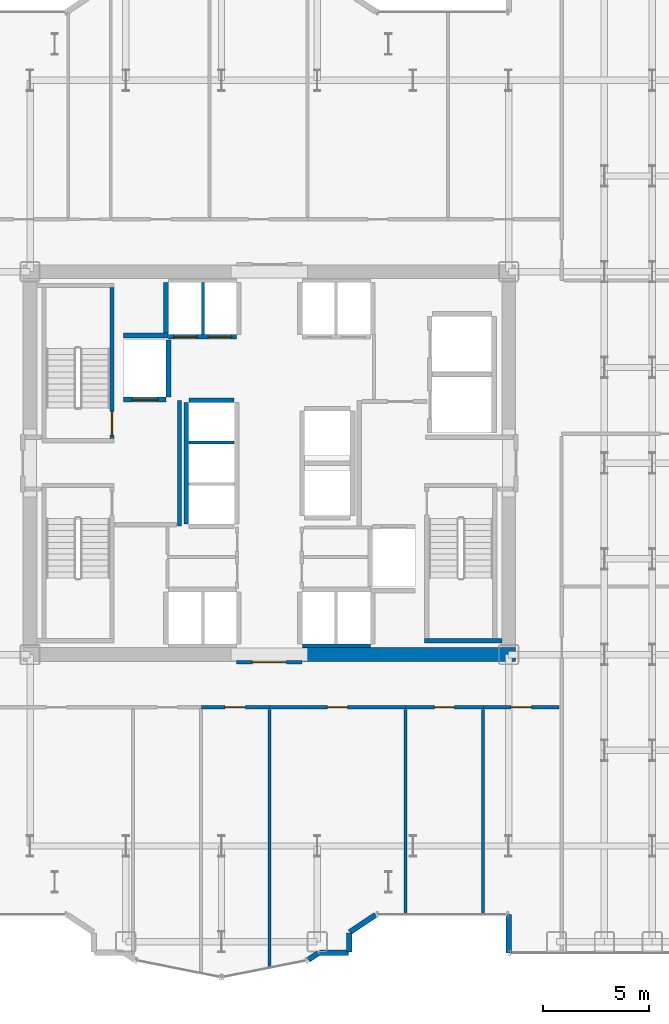
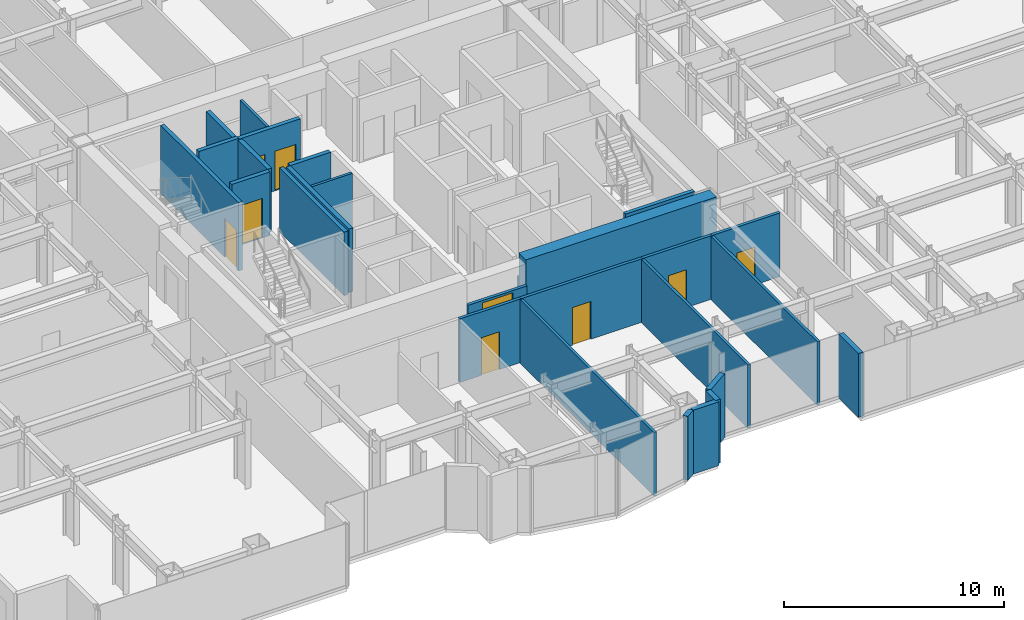
# One storey, part 21 of 25: 27 walls, 9 doors, 9 openings.
"""IFC4 building model written with IfcOpenShell, lengths in metres."""

from ifc_helpers import new_model, si_unit, direction, frame, frame_2d, origin, place, context, subcontext, project, spatial, rectangle, extrude, source, transform, mapped, material, layer, layer_set, type_object, element, fill, save


model = new_model("IFC4")

# Units and contexts
model_context = context("Model", 3, precision=1e-05, world=origin(), true_north=direction((0.0, 1.0)))
body_context = subcontext(model_context, "Body", "Model", "MODEL_VIEW")
ifc_project = project(units=[si_unit("LENGTHUNIT", "METRE"), si_unit("AREAUNIT", "SQUARE_METRE"), si_unit("VOLUMEUNIT", "CUBIC_METRE"), si_unit("PLANEANGLEUNIT", "RADIAN"), si_unit("MASSUNIT", "GRAM", prefix="KILO")], contexts=[model_context])

# Site, building, storey
site_placement = place(None, origin())
site = spatial("IfcSite", under=ifc_project, at=site_placement, CompositionType="ELEMENT")
building_placement = place(site_placement, origin())
building = spatial("IfcBuilding", under=site, at=building_placement, Name="Nefas-Gora Pilgrimage Tower", CompositionType="ELEMENT")
storey_placement = place(building_placement, frame((0.0, 0.0, 71.0)))
storey = spatial("IfcBuildingStorey", under=building, at=storey_placement, Name="L16", CompositionType="ELEMENT", Elevation=71.0)

# Walls
ifc_material_1 = material(Name="Concrete C60/75", Category="concrete")
ifc_layer_1 = layer(ifc_material_1, 0.64990234375)
ifc_layer_set_1 = layer_set([ifc_layer_1], Name="Concrete C60/75")
wall_type_1 = type_object("IfcWallType", Name="SW-CORE-650", PredefinedType="SHEAR", material=ifc_layer_set_1)
shared_shape_1 = source(origin(), body_context, "Body", "SweptSolid", [
    extrude(rectangle(XDim=10.02490234375, YDim=0.64990234375, at=frame_2d((5.012451171875, 0.0))), origin(), (0.0, 0.0, 1.0), 3.800048828125),
])
wall_1_placement = place(storey_placement, frame((1.550048828125, -9.0, 0.0), z_axis=(0.0, 0.0, 1.0), x_axis=(1.0, 0.0, 0.0)))
element("IfcWall", 1, at=wall_1_placement, inside=storey, type_object=wall_type_1, Name="L16 Core Shear Wall S-East", PredefinedType="SHEAR", context=body_context, shape_type="MappedRepresentation", body=[
    mapped(shared_shape_1, transform((0.0, 0.0, 0.0), x_axis=(1.0, 0.0, 0.0), y_axis=(0.0, 1.0, 0.0), z_axis=(0.0, 0.0, 1.0), scale=1.0)),
])
ifc_material_2 = material(Name="Precast concrete C40/50", Category="concrete")
ifc_layer_2 = layer(ifc_material_2, 0.260009765625)
ifc_layer_set_2 = layer_set([ifc_layer_2], Name="Precast concrete C40/50")
wall_type_2 = type_object("IfcWallType", Name="EW-PORTAL-260", PredefinedType="SOLIDWALL", material=ifc_layer_set_2)
shared_shape_2 = source(origin(), body_context, "Body", "SweptSolid", [
    extrude(rectangle(XDim=1.800048828125, YDim=0.260009765625, at=frame_2d((0.89990234375, 0.0))), origin(), (0.0, 0.0, 1.0), 3.550048828125),
])
wall_2_placement = place(storey_placement, frame((11.25, -21.219970703125, 0.0), z_axis=(0.0, 0.0, 1.0), x_axis=(0.0, -1.0, 0.0)))
element("IfcWall", 2, at=wall_2_placement, inside=storey, type_object=wall_type_2, Name="L16 Lobe Shoulder Precast Spandrel Pier 1", PredefinedType="SOLIDWALL", context=body_context, shape_type="MappedRepresentation", body=[
    mapped(shared_shape_2, transform((0.0, 0.0, 0.0), x_axis=(1.0, 0.0, 0.0), y_axis=(0.0, 1.0, 0.0), z_axis=(0.0, 0.0, 1.0), scale=1.0)),
])
shared_shape_3 = source(origin(), body_context, "Body", "SweptSolid", [
    extrude(rectangle(XDim=1.468994140625, YDim=0.260009765625, at=frame_2d((0.734375, 0.0))), origin(), (0.0, 0.0, 1.0), 3.550048828125),
])
wall_3_placement = place(storey_placement, frame((3.773193359375, -22.0517578125, 0.0), z_axis=(0.0, 0.0, 1.0), x_axis=(0.831461760506, 0.555581983884, 0.0)))
element("IfcWall", 3, at=wall_3_placement, inside=storey, type_object=wall_type_2, Name="L16 Lobe Shoulder Precast Spandrel Pier 36", PredefinedType="SOLIDWALL", context=body_context, shape_type="MappedRepresentation", body=[
    mapped(shared_shape_3, transform((0.0, 0.0, 0.0), x_axis=(1.0, 0.0, 0.0), y_axis=(0.0, 1.0, 0.0), z_axis=(0.0, 0.0, 1.0), scale=1.0)),
])
shared_shape_4 = source(origin(), body_context, "Body", "SweptSolid", [
    extrude(rectangle(XDim=0.896728515625, YDim=0.260009765625, at=frame_2d((0.4482421875, 0.0))), origin(), (0.0, 0.0, 1.0), 3.550048828125),
])
wall_4_placement = place(storey_placement, frame((3.75, -22.991943359375, 0.0), z_axis=(0.0, 0.0, 1.0), x_axis=(0.0, 1.0, 0.0)))
element("IfcWall", 4, at=wall_4_placement, inside=storey, type_object=wall_type_2, Name="L16 Lobe Shoulder Precast Spandrel Pier 35", PredefinedType="SOLIDWALL", context=body_context, shape_type="MappedRepresentation", body=[
    mapped(shared_shape_4, transform((0.0, 0.0, 0.0), x_axis=(1.0, 0.0, 0.0), y_axis=(0.0, 1.0, 0.0), z_axis=(0.0, 0.0, 1.0), scale=1.0)),
])
shared_shape_5 = source(origin(), body_context, "Body", "SweptSolid", [
    extrude(rectangle(XDim=1.369873046875, YDim=0.260009765625, at=frame_2d((0.68505859375, 0.0))), origin(), (0.0, 0.0, 1.0), 3.550048828125),
])
wall_5_placement = place(storey_placement, frame((2.35205078125, -23.02001953125, 0.0), z_axis=(0.0, 0.0, 1.0), x_axis=(1.0, 0.0, 0.0)))
element("IfcWall", 5, at=wall_5_placement, inside=storey, type_object=wall_type_2, Name="L16 Lobe Shoulder Precast Spandrel Pier 34", PredefinedType="SOLIDWALL", context=body_context, shape_type="MappedRepresentation", body=[
    mapped(shared_shape_5, transform((0.0, 0.0, 0.0), x_axis=(1.0, 0.0, 0.0), y_axis=(0.0, 1.0, 0.0), z_axis=(0.0, 0.0, 1.0), scale=1.0)),
])
shared_shape_6 = source(origin(), body_context, "Body", "SweptSolid", [
    extrude(rectangle(XDim=0.5654296875, YDim=0.260009765625, at=frame_2d((0.28271484375, 0.0))), origin(), (0.0, 0.0, 1.0), 3.550048828125),
])
wall_6_placement = place(storey_placement, frame((1.83056640625, -23.349609375, 0.0), z_axis=(0.0, 0.0, 1.0), x_axis=(0.831651492666, 0.555297933317, 0.0)))
element("IfcWall", 6, at=wall_6_placement, inside=storey, type_object=wall_type_2, Name="L16 Lobe Shoulder Precast Spandrel Pier 33", PredefinedType="SOLIDWALL", context=body_context, shape_type="MappedRepresentation", body=[
    mapped(shared_shape_6, transform((0.0, 0.0, 0.0), x_axis=(1.0, 0.0, 0.0), y_axis=(0.0, 1.0, 0.0), z_axis=(0.0, 0.0, 1.0), scale=1.0)),
])
ifc_material_3 = material(Name="Concrete C45/55", Category="concrete")
ifc_layer_3 = layer(ifc_material_3, 0.199951171875)
ifc_layer_set_3 = layer_set([ifc_layer_3], Name="Concrete C45/55")
wall_type_3 = type_object("IfcWallType", Name="IW-STAIR-200", PredefinedType="SOLIDWALL", material=ifc_layer_set_3)
shared_shape_7 = source(origin(), body_context, "Body", "SweptSolid", [
    extrude(rectangle(XDim=3.6298828125, YDim=0.199951171875, at=frame_2d((1.81494140625, 0.0))), origin(), (0.0, 0.0, 1.0), 3.800048828125),
])
wall_7_placement = place(storey_placement, frame((7.300048828125, -8.35009765625, 0.0), z_axis=(0.0, 0.0, 1.0), x_axis=(1.0, 0.0, 0.0)))
element("IfcWall", 7, at=wall_7_placement, inside=storey, type_object=wall_type_3, Name="L16 Stairwell Shear Wall ST-02-far", PredefinedType="SOLIDWALL", context=body_context, shape_type="MappedRepresentation", body=[
    mapped(shared_shape_7, transform((0.0, 0.0, 0.0), x_axis=(1.0, 0.0, 0.0), y_axis=(0.0, 1.0, 0.0), z_axis=(0.0, 0.0, 1.0), scale=1.0)),
])

# Wall, opening, door
shared_shape_8 = source(origin(), body_context, "Body", "SweptSolid", [
    extrude(rectangle(XDim=7.10009765625, YDim=0.199951171875, at=frame_2d((3.550048828125, 0.0))), origin(), (0.0, 0.0, 1.0), 3.800048828125),
])
wall_8_placement = place(storey_placement, frame((-7.39990234375, 1.14990234375, 0.0), z_axis=(0.0, 0.0, 1.0), x_axis=(0.0, 1.0, 0.0)))
wall_8 = element("IfcWall", 8, at=wall_8_placement, inside=storey, type_object=wall_type_3, Name="L16 Stairwell Shear Wall ST-01-left", PredefinedType="SOLIDWALL", context=body_context, shape_type="MappedRepresentation", body=[
    mapped(shared_shape_8, transform((0.0, 0.0, 0.0), x_axis=(1.0, 0.0, 0.0), y_axis=(0.0, 1.0, 0.0), z_axis=(0.0, 0.0, 1.0), scale=1.0)),
])
opening_1_placement = place(wall_8_placement, frame((0.179931640625, 0.0, 0.0)))
opening_1 = element("IfcOpeningElement", 9, at=opening_1_placement, cuts=wall_8, Name="Opening ID-ST1", PredefinedType="OPENING", context=body_context, shape_type="SweptSolid", body=[
    extrude(rectangle(XDim=1.10009765625, YDim=2.14990234375, at=frame_2d((0.550048828125, 1.074951171875))), frame((0.0, 0.10986328125, 0.0), z_axis=(0.0, -1.0, 0.0), x_axis=(1.0, 0.0, 0.0)), (0.0, 0.0, 1.0), 0.219970703125),
])
ifc_material_4 = material(Name="Painted galvanised steel fire stair door", Category="steel")
door_type_1 = type_object("IfcDoorType", Name="DR-INT-STAIR-1100", OperationType="NOTDEFINED", PredefinedType="DOOR", material=ifc_material_4)
shared_shape_9 = source(origin(), body_context, "Body", "SweptSolid", [
    extrude(rectangle(XDim=1.10009765625, YDim=2.14990234375, at=frame_2d((0.550048828125, 1.074951171875))), frame((0.0, 0.02490234375, 0.0), z_axis=(0.0, -1.0, 0.0), x_axis=(1.0, 0.0, 0.0)), (0.0, 0.0, 1.0), 0.050048828125),
])
door_1_placement = place(opening_1_placement, origin())
door_1 = element("IfcDoor", 10, at=door_1_placement, inside=storey, type_object=door_type_1, Name="L16 Protected Exit Stair Door ST-01", OperationType="SINGLE_SWING_RIGHT", OverallHeight=2.14990234375, OverallWidth=1.10009765625, PredefinedType="DOOR", context=body_context, shape_type="MappedRepresentation", body=[
    mapped(shared_shape_9, transform((0.0, 0.0, 0.0), x_axis=(1.0, 0.0, 0.0), y_axis=(0.0, 1.0, 0.0), z_axis=(0.0, 0.0, 1.0), scale=1.0)),
])
fill(opening_1, door_1)

ifc_material_5 = material(Name="Concrete C40/50", Category="concrete")
ifc_layer_4 = layer(ifc_material_5, 0.219970703125)
ifc_layer_set_4 = layer_set([ifc_layer_4], Name="Concrete C40/50")
wall_type_4 = type_object("IfcWallType", Name="IW-SHAFT-220", PredefinedType="SOLIDWALL", material=ifc_layer_set_4)
shared_shape_10 = source(origin(), body_context, "Body", "SweptSolid", [
    extrude(rectangle(XDim=2.0, YDim=0.219970703125, at=frame_2d((1.0, 0.0))), origin(), (0.0, 0.0, 1.0), 3.534912109375),
])
wall_9_placement = place(storey_placement, frame((-6.85009765625, 2.989990234375, 0.0), z_axis=(0.0, 0.0, 1.0), x_axis=(1.0, 0.0, 0.0)))
wall_9 = element("IfcWall", 11, at=wall_9_placement, inside=storey, type_object=wall_type_4, Name="L16 Hoistway Wall FFL-01-S", PredefinedType="SOLIDWALL", context=body_context, shape_type="MappedRepresentation", body=[
    mapped(shared_shape_10, transform((0.0, 0.0, 0.0), x_axis=(1.0, 0.0, 0.0), y_axis=(0.0, 1.0, 0.0), z_axis=(0.0, 0.0, 1.0), scale=1.0)),
])
opening_2_placement = place(wall_9_placement, frame((0.39990234375, 0.0, 0.0)))
opening_2 = element("IfcOpeningElement", 12, at=opening_2_placement, cuts=wall_9, Name="Opening LD-FF", PredefinedType="OPENING", context=body_context, shape_type="SweptSolid", body=[
    extrude(rectangle(XDim=1.199951171875, YDim=2.199951171875, at=frame_2d((0.60009765625, 1.10009765625))), frame((0.0, 0.119873046875, 0.0), z_axis=(0.0, -1.0, 0.0), x_axis=(1.0, 0.0, 0.0)), (0.0, 0.0, 1.0), 0.239990234375),
])
ifc_material_6 = material(Name="Fire-service sliding lift landing door")
door_type_2 = type_object("IfcDoorType", Name="DR-LIFT-FSAE-1200", OperationType="SLIDING_TO_LEFT", PredefinedType="DOOR", material=ifc_material_6)
shared_shape_11 = source(origin(), body_context, "Body", "SweptSolid", [
    extrude(rectangle(XDim=1.199951171875, YDim=2.199951171875, at=frame_2d((0.60009765625, 1.10009765625))), frame((0.0, 0.02490234375, 0.0), z_axis=(0.0, -1.0, 0.0), x_axis=(1.0, 0.0, 0.0)), (0.0, 0.0, 1.0), 0.050048828125),
])
door_2_placement = place(opening_2_placement, origin())
door_2 = element("IfcDoor", 13, at=door_2_placement, inside=storey, type_object=door_type_2, Name="L16 Sliding Lift Landing Door FFL-01", OperationType="SLIDING_TO_LEFT", OverallHeight=2.199951171875, OverallWidth=1.199951171875, PredefinedType="DOOR", context=body_context, shape_type="MappedRepresentation", body=[
    mapped(shared_shape_11, transform((0.0, 0.0, 0.0), x_axis=(1.0, 0.0, 0.0), y_axis=(0.0, 1.0, 0.0), z_axis=(0.0, 0.0, 1.0), scale=1.0)),
])
fill(opening_2, door_2)

# Wall
shared_shape_12 = source(origin(), body_context, "Body", "SweptSolid", [
    extrude(rectangle(XDim=2.679931640625, YDim=0.219970703125, at=frame_2d((1.33984375, 0.0))), origin(), (0.0, 0.0, 1.0), 3.534912109375),
])
wall_10_placement = place(storey_placement, frame((-4.739990234375, 3.110107421875, 0.0), z_axis=(0.0, 0.0, 1.0), x_axis=(0.0, 1.0, 0.0)))
element("IfcWall", 14, at=wall_10_placement, inside=storey, type_object=wall_type_4, Name="L16 Hoistway Wall FFL-01-E", PredefinedType="SOLIDWALL", context=body_context, shape_type="MappedRepresentation", body=[
    mapped(shared_shape_12, transform((0.0, 0.0, 0.0), x_axis=(1.0, 0.0, 0.0), y_axis=(0.0, 1.0, 0.0), z_axis=(0.0, 0.0, 1.0), scale=1.0)),
])

# Wall, openings, doors
shared_shape_13 = source(origin(), body_context, "Body", "SweptSolid", [
    extrude(rectangle(XDim=3.199951171875, YDim=0.219970703125, at=frame_2d((1.60009765625, 0.0))), origin(), (0.0, 0.0, 1.0), 3.534912109375),
])
wall_11_placement = place(storey_placement, frame((-4.75, 5.93994140625, 0.0), z_axis=(0.0, 0.0, 1.0), x_axis=(1.0, 0.0, 0.0)))
wall_11 = element("IfcWall", 15, at=wall_11_placement, inside=storey, type_object=wall_type_4, Name="L16 Hoistway Wall PL1-W-S", PredefinedType="SOLIDWALL", context=body_context, shape_type="MappedRepresentation", body=[
    mapped(shared_shape_13, transform((0.0, 0.0, 0.0), x_axis=(1.0, 0.0, 0.0), y_axis=(0.0, 1.0, 0.0), z_axis=(0.0, 0.0, 1.0), scale=1.0)),
])
opening_3_placement = place(wall_11_placement, frame((0.25, 0.0, 0.0)))
opening_3 = element("IfcOpeningElement", 16, at=opening_3_placement, cuts=wall_11, Name="Opening LD-01", PredefinedType="OPENING", context=body_context, shape_type="SweptSolid", body=[
    extrude(rectangle(XDim=1.10009765625, YDim=2.199951171875, at=frame_2d((0.550048828125, 1.10009765625))), frame((0.0, 0.119873046875, 0.0), z_axis=(0.0, -1.0, 0.0), x_axis=(1.0, 0.0, 0.0)), (0.0, 0.0, 1.0), 0.239990234375),
])
opening_4_placement = place(wall_11_placement, frame((1.875, 0.0, 0.0)))
opening_4 = element("IfcOpeningElement", 17, at=opening_4_placement, cuts=wall_11, Name="Opening LD-01", PredefinedType="OPENING", context=body_context, shape_type="SweptSolid", body=[
    extrude(rectangle(XDim=1.10009765625, YDim=2.199951171875, at=frame_2d((0.550048828125, 1.10009765625))), frame((0.0, 0.119873046875, 0.0), z_axis=(0.0, -1.0, 0.0), x_axis=(1.0, 0.0, 0.0)), (0.0, 0.0, 1.0), 0.239990234375),
])
ifc_material_7 = material(Name="Brushed stainless sliding lift landing door")
door_type_3 = type_object("IfcDoorType", Name="DR-LIFT-PASS-1100", OperationType="DOUBLE_DOOR_SLIDING", PredefinedType="DOOR", material=ifc_material_7)
shared_shape_14 = source(origin(), body_context, "Body", "SweptSolid", [
    extrude(rectangle(XDim=1.10009765625, YDim=2.199951171875, at=frame_2d((0.550048828125, 1.10009765625))), frame((0.0, 0.02490234375, 0.0), z_axis=(0.0, -1.0, 0.0), x_axis=(1.0, 0.0, 0.0)), (0.0, 0.0, 1.0), 0.050048828125),
])
door_3_placement = place(opening_3_placement, origin())
door_3 = element("IfcDoor", 18, at=door_3_placement, inside=storey, type_object=door_type_3, Name="L16 Sliding Lift Landing Door PL1-01", OperationType="DOUBLE_DOOR_SLIDING", OverallHeight=2.199951171875, OverallWidth=1.10009765625, PredefinedType="DOOR", context=body_context, shape_type="MappedRepresentation", body=[
    mapped(shared_shape_14, transform((0.0, 0.0, 0.0), x_axis=(1.0, 0.0, 0.0), y_axis=(0.0, 1.0, 0.0), z_axis=(0.0, 0.0, 1.0), scale=1.0)),
])
fill(opening_3, door_3)
door_4_placement = place(opening_4_placement, origin())
door_4 = element("IfcDoor", 19, at=door_4_placement, inside=storey, type_object=door_type_3, Name="L16 Sliding Lift Landing Door PL1-02", OperationType="DOUBLE_DOOR_SLIDING", OverallHeight=2.199951171875, OverallWidth=1.10009765625, PredefinedType="DOOR", context=body_context, shape_type="MappedRepresentation", body=[
    mapped(shared_shape_14, transform((0.0, 0.0, 0.0), x_axis=(1.0, 0.0, 0.0), y_axis=(0.0, 1.0, 0.0), z_axis=(0.0, 0.0, 1.0), scale=1.0)),
])
fill(opening_4, door_4)

# Walls
ifc_material_8 = material(Name="Gypsum acoustic stud partition")
ifc_layer_5 = layer(ifc_material_8, 0.159912109375)
ifc_layer_set_5 = layer_set([ifc_layer_5], Name="Gypsum acoustic stud partition")
wall_type_5 = type_object("IfcWallType", Name="IW-CORR-160", PredefinedType="PARTITIONING", material=ifc_layer_set_5)
shared_shape_15 = source(origin(), body_context, "Body", "SweptSolid", [
    extrude(rectangle(XDim=3.199951171875, YDim=0.159912109375, at=frame_2d((1.60009765625, 0.0))), origin(), (0.0, 0.0, 1.0), 2.425048828125),
])
wall_12_placement = place(storey_placement, frame((1.550048828125, -8.580078125, 0.0), z_axis=(0.0, 0.0, 1.0), x_axis=(1.0, 0.0, 0.0)))
element("IfcWall", 20, at=wall_12_placement, inside=storey, type_object=wall_type_5, Name="L16 Hoistway Wall PL2-E-S", PredefinedType="PARTITIONING", context=body_context, shape_type="MappedRepresentation", body=[
    mapped(shared_shape_15, transform((0.0, 0.0, 0.0), x_axis=(1.0, 0.0, 0.0), y_axis=(0.0, 1.0, 0.0), z_axis=(0.0, 0.0, 1.0), scale=1.0)),
])
shared_shape_16 = source(origin(), body_context, "Body", "SweptSolid", [
    extrude(rectangle(XDim=2.429931640625, YDim=0.219970703125, at=frame_2d((1.21484375, 0.0))), origin(), (0.0, 0.0, 1.0), 3.534912109375),
])
wall_13_placement = place(storey_placement, frame((-4.860107421875, 8.489990234375, 0.0), z_axis=(0.0, 0.0, 1.0), x_axis=(0.0, -1.0, 0.0)))
element("IfcWall", 21, at=wall_13_placement, inside=storey, type_object=wall_type_4, Name="L16 Hoistway Wall PL1-W-W", PredefinedType="SOLIDWALL", context=body_context, shape_type="MappedRepresentation", body=[
    mapped(shared_shape_16, transform((0.0, 0.0, 0.0), x_axis=(1.0, 0.0, 0.0), y_axis=(0.0, 1.0, 0.0), z_axis=(0.0, 0.0, 1.0), scale=1.0)),
])
ifc_material_9 = material(Name="Gypsum twin-stud partition")
ifc_layer_6 = layer(ifc_material_9, 0.139892578125)
ifc_layer_set_6 = layer_set([ifc_layer_6], Name="Gypsum twin-stud partition")
wall_type_6 = type_object("IfcWallType", Name="IW-UNIT-140", PredefinedType="PARTITIONING", material=ifc_layer_set_6)
shared_shape_17 = source(origin(), body_context, "Body", "SweptSolid", [
    extrude(rectangle(XDim=2.429931640625, YDim=0.139892578125, at=frame_2d((1.21484375, 0.0))), origin(), (0.0, 0.0, 1.0), 3.534912109375),
])
wall_14_placement = place(storey_placement, frame((-3.125, 6.06005859375, 0.0), z_axis=(0.0, 0.0, 1.0), x_axis=(0.0, 1.0, 0.0)))
element("IfcWall", 22, at=wall_14_placement, inside=storey, type_object=wall_type_6, Name="L16 Hoistway Wall PL1-W-DIV", PredefinedType="PARTITIONING", context=body_context, shape_type="MappedRepresentation", body=[
    mapped(shared_shape_17, transform((0.0, 0.0, 0.0), x_axis=(1.0, 0.0, 0.0), y_axis=(0.0, 1.0, 0.0), z_axis=(0.0, 0.0, 1.0), scale=1.0)),
])
shared_shape_18 = source(origin(), body_context, "Body", "SweptSolid", [
    extrude(rectangle(XDim=5.7001953125, YDim=0.219970703125, at=frame_2d((2.85009765625, 0.0))), origin(), (0.0, 0.0, 1.0), 3.534912109375),
])
wall_15_placement = place(storey_placement, frame((-3.909912109375, 2.85009765625, 0.0), z_axis=(0.0, 0.0, 1.0), x_axis=(0.0, -1.0, 0.0)))
element("IfcWall", 23, at=wall_15_placement, inside=storey, type_object=wall_type_4, Name="L16 Hoistway Wall PL3-01-03-W", PredefinedType="SOLIDWALL", context=body_context, shape_type="MappedRepresentation", body=[
    mapped(shared_shape_18, transform((0.0, 0.0, 0.0), x_axis=(1.0, 0.0, 0.0), y_axis=(0.0, 1.0, 0.0), z_axis=(0.0, 0.0, 1.0), scale=1.0)),
])
shared_shape_19 = source(origin(), body_context, "Body", "SweptSolid", [
    extrude(rectangle(XDim=2.130126953125, YDim=0.219970703125, at=frame_2d((1.06494140625, 0.0))), origin(), (0.0, 0.0, 1.0), 3.534912109375),
])
wall_16_placement = place(storey_placement, frame((-1.659912109375, 2.9599609375, 0.0), z_axis=(0.0, 0.0, 1.0), x_axis=(-1.0, 0.0, 0.0)))
element("IfcWall", 24, at=wall_16_placement, inside=storey, type_object=wall_type_4, Name="L16 Hoistway Wall PL3-03-N", PredefinedType="SOLIDWALL", context=body_context, shape_type="MappedRepresentation", body=[
    mapped(shared_shape_19, transform((0.0, 0.0, 0.0), x_axis=(1.0, 0.0, 0.0), y_axis=(0.0, 1.0, 0.0), z_axis=(0.0, 0.0, 1.0), scale=1.0)),
])
shared_shape_20 = source(origin(), body_context, "Body", "SweptSolid", [
    extrude(rectangle(XDim=2.130126953125, YDim=0.139892578125, at=frame_2d((1.06494140625, 0.0))), origin(), (0.0, 0.0, 1.0), 3.534912109375),
])
wall_17_placement = place(storey_placement, frame((-3.7900390625, 0.97509765625, 0.0), z_axis=(0.0, 0.0, 1.0), x_axis=(1.0, 0.0, 0.0)))
element("IfcWall", 25, at=wall_17_placement, inside=storey, type_object=wall_type_6, Name="L16 Hoistway Wall PL3-02-03-DIV", PredefinedType="PARTITIONING", context=body_context, shape_type="MappedRepresentation", body=[
    mapped(shared_shape_20, transform((0.0, 0.0, 0.0), x_axis=(1.0, 0.0, 0.0), y_axis=(0.0, 1.0, 0.0), z_axis=(0.0, 0.0, 1.0), scale=1.0)),
])
shared_shape_21 = source(origin(), body_context, "Body", "SweptSolid", [
    extrude(rectangle(XDim=2.09521484375, YDim=0.219970703125, at=frame_2d((1.047607421875, 0.0))), origin(), (0.0, 0.0, 1.0), 3.534912109375),
])
wall_18_placement = place(storey_placement, frame((-6.85009765625, 6.0, 0.0), z_axis=(0.0, 0.0, 1.0), x_axis=(1.0, 0.0, 0.0)))
element("IfcWall", 26, at=wall_18_placement, inside=storey, type_object=wall_type_4, Name="L16 Riser Shaft Wall 1", PredefinedType="SOLIDWALL", context=body_context, shape_type="MappedRepresentation", body=[
    mapped(shared_shape_21, transform((0.0, 0.0, 0.0), x_axis=(1.0, 0.0, 0.0), y_axis=(0.0, 1.0, 0.0), z_axis=(0.0, 0.0, 1.0), scale=1.0)),
])
ifc_material_10 = material(Name="Gypsum fire-rated shaftwall")
ifc_layer_7 = layer(ifc_material_10, 0.199951171875)
ifc_layer_set_7 = layer_set([ifc_layer_7], Name="Gypsum fire-rated shaftwall")
wall_type_7 = type_object("IfcWallType", Name="IW-FFLOB-200", PredefinedType="PARTITIONING", material=ifc_layer_set_7)
shared_shape_22 = source(origin(), body_context, "Body", "SweptSolid", [
    extrude(rectangle(XDim=5.89990234375, YDim=0.199951171875, at=frame_2d((2.949951171875, 0.0))), origin(), (0.0, 0.0, 1.0), 3.534912109375),
])
wall_19_placement = place(storey_placement, frame((-4.219970703125, -2.949951171875, 0.0), z_axis=(0.0, 0.0, 1.0), x_axis=(0.0, 1.0, 0.0)))
element("IfcWall", 27, at=wall_19_placement, inside=storey, type_object=wall_type_7, Name="L16 FF Lobby West Inner Wall Wall 4", PredefinedType="PARTITIONING", context=body_context, shape_type="MappedRepresentation", body=[
    mapped(shared_shape_22, transform((0.0, 0.0, 0.0), x_axis=(1.0, 0.0, 0.0), y_axis=(0.0, 1.0, 0.0), z_axis=(0.0, 0.0, 1.0), scale=1.0)),
])

# Wall, opening, door
shared_shape_23 = source(origin(), body_context, "Body", "SweptSolid", [
    extrude(rectangle(XDim=3.08984375, YDim=0.159912109375, at=frame_2d((1.544921875, 0.0))), origin(), (0.0, 0.0, 1.0), 2.425048828125),
])
wall_20_placement = place(storey_placement, frame((-1.544921875, -9.35009765625, 0.0), z_axis=(0.0, 0.0, 1.0), x_axis=(1.0, 0.0, 0.0)))
wall_20 = element("IfcWall", 28, at=wall_20_placement, inside=storey, type_object=wall_type_5, Name="L16 Central Lift Lobby South Portal Wall 14", PredefinedType="PARTITIONING", context=body_context, shape_type="MappedRepresentation", body=[
    mapped(shared_shape_23, transform((0.0, 0.0, 0.0), x_axis=(1.0, 0.0, 0.0), y_axis=(0.0, 1.0, 0.0), z_axis=(0.0, 0.0, 1.0), scale=1.0)),
])
opening_5_placement = place(wall_20_placement, frame((0.7451171875, 0.0, 0.0)))
opening_5 = element("IfcOpeningElement", 29, at=opening_5_placement, cuts=wall_20, Name="Opening ID-HL1", PredefinedType="OPENING", context=body_context, shape_type="SweptSolid", body=[
    extrude(rectangle(XDim=1.60009765625, YDim=2.300048828125, at=frame_2d((0.800048828125, 1.14990234375))), frame((0.0, 0.08984375, 0.0), z_axis=(0.0, -1.0, 0.0), x_axis=(1.0, 0.0, 0.0)), (0.0, 0.0, 1.0), 0.179931640625),
])
ifc_material_11 = material(Name="Double acoustic timber assembly hall door", Category="wood")
door_type_4 = type_object("IfcDoorType", Name="DR-INT-HALL-1600", OperationType="DOUBLE_DOOR_SINGLE_SWING", PredefinedType="DOOR", material=ifc_material_11)
shared_shape_24 = source(origin(), body_context, "Body", "SweptSolid", [
    extrude(rectangle(XDim=1.60009765625, YDim=2.300048828125, at=frame_2d((0.800048828125, 1.14990234375))), frame((0.0, 0.02490234375, 0.0), z_axis=(0.0, -1.0, 0.0), x_axis=(1.0, 0.0, 0.0)), (0.0, 0.0, 1.0), 0.050048828125),
])
door_5_placement = place(opening_5_placement, origin())
door_5 = element("IfcDoor", 30, at=door_5_placement, inside=storey, type_object=door_type_4, Name="L16 Central Lift Lobby South Portal Door 5", OperationType="DOUBLE_DOOR_SINGLE_SWING", OverallHeight=2.300048828125, OverallWidth=1.60009765625, PredefinedType="DOOR", context=body_context, shape_type="MappedRepresentation", body=[
    mapped(shared_shape_24, transform((0.0, 0.0, 0.0), x_axis=(1.0, 0.0, 0.0), y_axis=(0.0, 1.0, 0.0), z_axis=(0.0, 0.0, 1.0), scale=1.0)),
])
fill(opening_5, door_5)

# Walls
shared_shape_25 = source(origin(), body_context, "Body", "SweptSolid", [
    extrude(rectangle(XDim=9.64990234375, YDim=0.139892578125, at=frame_2d((4.824951171875, 0.0))), origin(), (0.0, 0.0, 1.0), 3.534912109375),
])
for number, where, z_axis, x_axis, name in (
    (31, (6.39501953125, -21.239990234375, 0.0), (0.0, 0.0, 1.0), (0.0, 1.0, 0.0), "L16 Pilgrim Contemplative Lounge Partition Wall 58"),
    (32, (10.050048828125, -21.239990234375, 0.0), (0.0, 0.0, 1.0), (0.0, 1.0, 0.0), "L16 Pilgrim Contemplative Lounge Partition Wall 63"),
):
    element("IfcWall", number, at=place(storey_placement, frame(where, z_axis=z_axis, x_axis=x_axis)), inside=storey, type_object=wall_type_6, Name=name, PredefinedType="PARTITIONING", context=body_context, shape_type="MappedRepresentation", body=[
        mapped(shared_shape_25, transform((0.0, 0.0, 0.0), x_axis=(1.0, 0.0, 0.0), y_axis=(0.0, 1.0, 0.0), z_axis=(0.0, 0.0, 1.0), scale=1.0)),
    ])

# Wall, opening, door
shared_shape_26 = source(origin(), body_context, "Body", "SweptSolid", [
    extrude(rectangle(XDim=6.405029296875, YDim=0.159912109375, at=frame_2d((3.20263671875, 0.0))), origin(), (0.0, 0.0, 1.0), 3.534912109375),
])
wall_21_placement = place(storey_placement, frame((0.0, -11.469970703125, 0.0), z_axis=(0.0, 0.0, 1.0), x_axis=(1.0, 0.0, 0.0)))
wall_21 = element("IfcWall", 33, at=wall_21_placement, inside=storey, type_object=wall_type_5, Name="L16 Pilgrim Contemplative Lounge Partition Wall 56", PredefinedType="PARTITIONING", context=body_context, shape_type="MappedRepresentation", body=[
    mapped(shared_shape_26, transform((0.0, 0.0, 0.0), x_axis=(1.0, 0.0, 0.0), y_axis=(0.0, 1.0, 0.0), z_axis=(0.0, 0.0, 1.0), scale=1.0)),
])
opening_6_placement = place(wall_21_placement, frame((2.7275390625, 0.0, 0.0)))
opening_6 = element("IfcOpeningElement", 34, at=opening_6_placement, cuts=wall_21, Name="Opening ID-GR1", PredefinedType="OPENING", context=body_context, shape_type="SweptSolid", body=[
    extrude(rectangle(XDim=0.949951171875, YDim=2.10009765625, at=frame_2d((0.47509765625, 1.050048828125))), frame((0.0, 0.08984375, 0.0), z_axis=(0.0, -1.0, 0.0), x_axis=(1.0, 0.0, 0.0)), (0.0, 0.0, 1.0), 0.179931640625),
])
ifc_material_12 = material(Name="Solid core oak fire-rated guest entrance door")
door_type_5 = type_object("IfcDoorType", Name="DR-INT-GUEST-950", OperationType="NOTDEFINED", PredefinedType="DOOR", material=ifc_material_12)
shared_shape_27 = source(origin(), body_context, "Body", "SweptSolid", [
    extrude(rectangle(XDim=0.949951171875, YDim=2.10009765625, at=frame_2d((0.47509765625, 1.050048828125))), frame((0.0, 0.02490234375, 0.0), z_axis=(0.0, -1.0, 0.0), x_axis=(1.0, 0.0, 0.0)), (0.0, 0.0, 1.0), 0.050048828125),
])
door_6_placement = place(opening_6_placement, origin())
door_6 = element("IfcDoor", 35, at=door_6_placement, inside=storey, type_object=door_type_5, Name="L16 Pilgrim Contemplative Lounge Door 27", OperationType="SINGLE_SWING_RIGHT", OverallHeight=2.10009765625, OverallWidth=0.949951171875, PredefinedType="DOOR", context=body_context, shape_type="MappedRepresentation", body=[
    mapped(shared_shape_27, transform((0.0, 0.0, 0.0), x_axis=(1.0, 0.0, 0.0), y_axis=(0.0, 1.0, 0.0), z_axis=(0.0, 0.0, 1.0), scale=1.0)),
])
fill(opening_6, door_6)

# Wall
shared_shape_28 = source(origin(), body_context, "Body", "SweptSolid", [
    extrude(rectangle(XDim=12.1572265625, YDim=0.139892578125, at=frame_2d((6.07861328125, 0.0))), origin(), (0.0, 0.0, 1.0), 3.534912109375),
])
wall_22_placement = place(storey_placement, frame((0.010009765625, -23.747314453125, 0.0), z_axis=(0.0, 0.0, 1.0), x_axis=(0.0, 1.0, 0.0)))
element("IfcWall", 36, at=wall_22_placement, inside=storey, type_object=wall_type_6, Name="L16 Pilgrim Contemplative Lounge Partition Wall 57", PredefinedType="PARTITIONING", context=body_context, shape_type="MappedRepresentation", body=[
    mapped(shared_shape_28, transform((0.0, 0.0, 0.0), x_axis=(1.0, 0.0, 0.0), y_axis=(0.0, 1.0, 0.0), z_axis=(0.0, 0.0, 1.0), scale=1.0)),
])

# Wall, opening, door
shared_shape_29 = source(origin(), body_context, "Body", "SweptSolid", [
    extrude(rectangle(XDim=3.202392578125, YDim=0.159912109375, at=frame_2d((1.60107421875, 0.0))), origin(), (0.0, 0.0, 1.0), 3.534912109375),
])
wall_23_placement = place(storey_placement, frame((-3.202392578125, -11.469970703125, 0.0), z_axis=(0.0, 0.0, 1.0), x_axis=(1.0, 0.0, 0.0)))
wall_23 = element("IfcWall", 37, at=wall_23_placement, inside=storey, type_object=wall_type_5, Name="L16 Pilgrim Contemplative Lounge Partition Wall 61", PredefinedType="PARTITIONING", context=body_context, shape_type="MappedRepresentation", body=[
    mapped(shared_shape_29, transform((0.0, 0.0, 0.0), x_axis=(1.0, 0.0, 0.0), y_axis=(0.0, 1.0, 0.0), z_axis=(0.0, 0.0, 1.0), scale=1.0)),
])
opening_7_placement = place(wall_23_placement, frame((1.126220703125, 0.0, 0.0)))
opening_7 = element("IfcOpeningElement", 38, at=opening_7_placement, cuts=wall_23, Name="Opening ID-GR1", PredefinedType="OPENING", context=body_context, shape_type="SweptSolid", body=[
    extrude(rectangle(XDim=0.949951171875, YDim=2.10009765625, at=frame_2d((0.47509765625, 1.050048828125))), frame((0.0, 0.08984375, 0.0), z_axis=(0.0, -1.0, 0.0), x_axis=(1.0, 0.0, 0.0)), (0.0, 0.0, 1.0), 0.179931640625),
])
door_7_placement = place(opening_7_placement, origin())
door_7 = element("IfcDoor", 39, at=door_7_placement, inside=storey, type_object=door_type_5, Name="L16 Pilgrim Contemplative Lounge Door 29", OperationType="SINGLE_SWING_RIGHT", OverallHeight=2.10009765625, OverallWidth=0.949951171875, PredefinedType="DOOR", context=body_context, shape_type="MappedRepresentation", body=[
    mapped(shared_shape_27, transform((0.0, 0.0, 0.0), x_axis=(1.0, 0.0, 0.0), y_axis=(0.0, 1.0, 0.0), z_axis=(0.0, 0.0, 1.0), scale=1.0)),
])
fill(opening_7, door_7)

shared_shape_30 = source(origin(), body_context, "Body", "SweptSolid", [
    extrude(rectangle(XDim=3.6650390625, YDim=0.159912109375, at=frame_2d((1.83251953125, 0.0))), origin(), (0.0, 0.0, 1.0), 3.534912109375),
])
wall_24_placement = place(storey_placement, frame((6.39501953125, -11.469970703125, 0.0), z_axis=(0.0, 0.0, 1.0), x_axis=(1.0, 0.0, 0.0)))
wall_24 = element("IfcWall", 40, at=wall_24_placement, inside=storey, type_object=wall_type_5, Name="L16 Pilgrim Contemplative Lounge Partition Wall 62", PredefinedType="PARTITIONING", context=body_context, shape_type="MappedRepresentation", body=[
    mapped(shared_shape_30, transform((0.0, 0.0, 0.0), x_axis=(1.0, 0.0, 0.0), y_axis=(0.0, 1.0, 0.0), z_axis=(0.0, 0.0, 1.0), scale=1.0)),
])
opening_8_placement = place(wall_24_placement, frame((1.357421875, 0.0, 0.0)))
opening_8 = element("IfcOpeningElement", 41, at=opening_8_placement, cuts=wall_24, Name="Opening ID-GR1", PredefinedType="OPENING", context=body_context, shape_type="SweptSolid", body=[
    extrude(rectangle(XDim=0.949951171875, YDim=2.10009765625, at=frame_2d((0.47509765625, 1.050048828125))), frame((0.0, 0.08984375, 0.0), z_axis=(0.0, -1.0, 0.0), x_axis=(1.0, 0.0, 0.0)), (0.0, 0.0, 1.0), 0.179931640625),
])
door_8_placement = place(opening_8_placement, origin())
door_8 = element("IfcDoor", 42, at=door_8_placement, inside=storey, type_object=door_type_5, Name="L16 Pilgrim Contemplative Lounge Door 30", OperationType="SINGLE_SWING_LEFT", OverallHeight=2.10009765625, OverallWidth=0.949951171875, PredefinedType="DOOR", context=body_context, shape_type="MappedRepresentation", body=[
    mapped(shared_shape_27, transform((0.0, 0.0, 0.0), x_axis=(1.0, 0.0, 0.0), y_axis=(0.0, 1.0, 0.0), z_axis=(0.0, 0.0, 1.0), scale=1.0)),
])
fill(opening_8, door_8)

shared_shape_31 = source(origin(), body_context, "Body", "SweptSolid", [
    extrude(rectangle(XDim=3.56005859375, YDim=0.159912109375, at=frame_2d((1.780029296875, 0.0))), origin(), (0.0, 0.0, 1.0), 3.534912109375),
])
wall_25_placement = place(storey_placement, frame((10.06005859375, -11.469970703125, 0.0), z_axis=(0.0, 0.0, 1.0), x_axis=(1.0, 0.0, 0.0)))
wall_25 = element("IfcWall", 43, at=wall_25_placement, inside=storey, type_object=wall_type_5, Name="L16 Pilgrim Contemplative Lounge Partition Wall 64", PredefinedType="PARTITIONING", context=body_context, shape_type="MappedRepresentation", body=[
    mapped(shared_shape_31, transform((0.0, 0.0, 0.0), x_axis=(1.0, 0.0, 0.0), y_axis=(0.0, 1.0, 0.0), z_axis=(0.0, 0.0, 1.0), scale=1.0)),
])
opening_9_placement = place(wall_25_placement, frame((1.304931640625, 0.0, 0.0)))
opening_9 = element("IfcOpeningElement", 44, at=opening_9_placement, cuts=wall_25, Name="Opening ID-GR1", PredefinedType="OPENING", context=body_context, shape_type="SweptSolid", body=[
    extrude(rectangle(XDim=0.949951171875, YDim=2.10009765625, at=frame_2d((0.47509765625, 1.050048828125))), frame((0.0, 0.08984375, 0.0), z_axis=(0.0, -1.0, 0.0), x_axis=(1.0, 0.0, 0.0)), (0.0, 0.0, 1.0), 0.179931640625),
])
door_9_placement = place(opening_9_placement, origin())
door_9 = element("IfcDoor", 45, at=door_9_placement, inside=storey, type_object=door_type_5, Name="L16 Pilgrim Contemplative Lounge Door 31", OperationType="SINGLE_SWING_RIGHT", OverallHeight=2.10009765625, OverallWidth=0.949951171875, PredefinedType="DOOR", context=body_context, shape_type="MappedRepresentation", body=[
    mapped(shared_shape_27, transform((0.0, 0.0, 0.0), x_axis=(1.0, 0.0, 0.0), y_axis=(0.0, 1.0, 0.0), z_axis=(0.0, 0.0, 1.0), scale=1.0)),
])
fill(opening_9, door_9)

save(model, "model.ifc")
